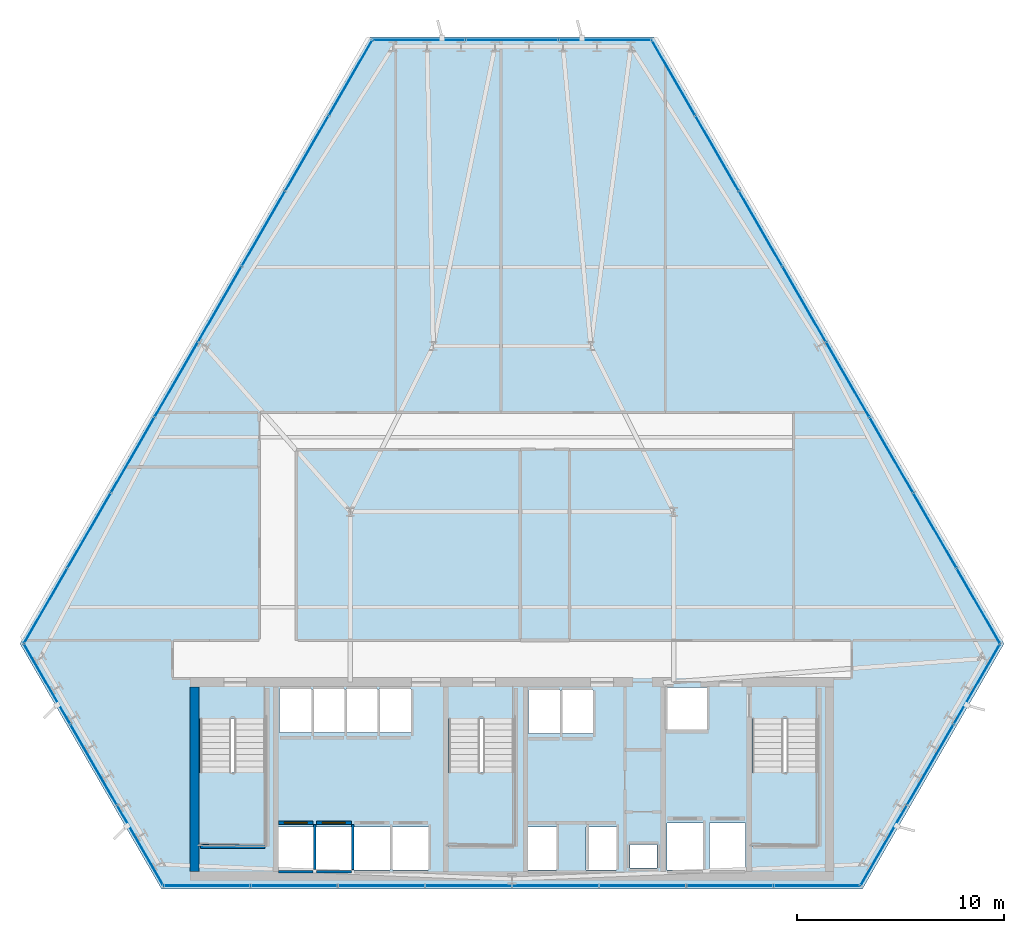
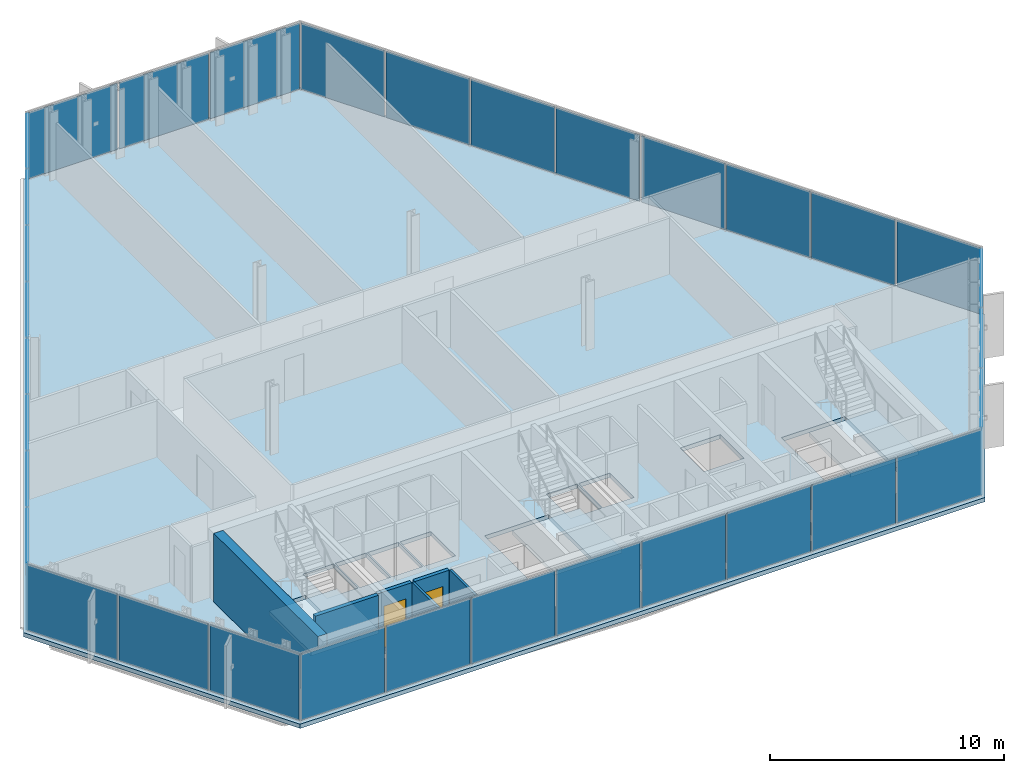
# One storey, part 24 of 31: 33 plates, 8 walls, 4 slabs, 2 doors, 2 openings, 9 elements without a shape of their own.
"""IFC4 building model written with IfcOpenShell, lengths in metres."""

from ifc_helpers import new_model, si_unit, direction, frame, frame_2d, origin, origin_2d, place, context, subcontext, project, spatial, polyline, rectangle, outline, extrude, material, layer, layer_set, type_object, element, fill, aggregate, save


model = new_model("IFC4")

# Units and contexts
model_context = context("Model", 3, precision=1e-05, world=origin(), true_north=direction((0.0, 1.0)))
body_context = subcontext(model_context, "Body", "Model", "MODEL_VIEW")
ifc_project = project(units=[si_unit("LENGTHUNIT", "METRE"), si_unit("AREAUNIT", "SQUARE_METRE"), si_unit("VOLUMEUNIT", "CUBIC_METRE"), si_unit("PLANEANGLEUNIT", "RADIAN"), si_unit("MASSUNIT", "GRAM", prefix="KILO")], contexts=[model_context])

# Site, building, storey
site_placement = place(None, origin())
site = spatial("IfcSite", under=ifc_project, at=site_placement, CompositionType="ELEMENT")
building_placement = place(site_placement, origin())
building = spatial("IfcBuilding", under=site, at=building_placement, Name="Ndaravel Arena Tower", CompositionType="ELEMENT")
storey_placement = place(building_placement, frame((0.0, 0.0, 100.60009765625)))
storey = spatial("IfcBuildingStorey", under=building, at=storey_placement, Name="L23", CompositionType="ELEMENT", Elevation=100.60009765625)

# Curtain wall, plate
ifc_material_1 = material(Name="Aluminium", Category="aluminium")
ifc_layer_1 = layer(ifc_material_1, 0.179931640625)
ifc_layer_set_1 = layer_set([ifc_layer_1], Name="Aluminium")
curtain_wall_type_1 = type_object("IfcCurtainWallType", Name="CW-SYS-01", PredefinedType="NOTDEFINED", material=ifc_layer_set_1)
curtain_wall_1_placement = place(storey_placement, origin())
curtain_wall_1 = element("IfcCurtainWall", 1, at=curtain_wall_1_placement, inside=storey, type_object=curtain_wall_type_1, Name="L23 Faceted Crystal Curtain Wall CW-L23-E02", PredefinedType="NOTDEFINED")
ifc_material_2 = material(Name="Glazing", Category="glass")
ifc_layer_2 = layer(ifc_material_2, 0.035888671875)
ifc_layer_set_2 = layer_set([ifc_layer_2], Name="Glazing")
plate_type_1 = type_object("IfcPlateType", Name="PLT-CW-OPVENT", PredefinedType="CURTAIN_PANEL", material=ifc_layer_set_2)
plate_1_placement = place(storey_placement, frame((62.1875, 10.996337890625, 0.059814453125), z_axis=(0.0, 0.0, 1.0), x_axis=(0.5, 0.866025403784, 0.0)))
plate_1 = element("IfcPlate", 2, at=plate_1_placement, type_object=plate_type_1, Name="CW-L23-E02 Operable Vent Sash Panel 02", PredefinedType="CURTAIN_PANEL", context=body_context, shape_type="SweptSolid", body=[
    extrude(rectangle(XDim=4.412841796875, YDim=0.035888671875, at=origin_2d()), origin(), (0.0, 0.0, 1.0), 3.4599609375),
])

curtain_wall_2_placement = place(storey_placement, origin())
curtain_wall_2 = element("IfcCurtainWall", 3, at=curtain_wall_2_placement, inside=storey, type_object=curtain_wall_type_1, Name="L23 Faceted Crystal Curtain Wall CW-L23-E04", PredefinedType="NOTDEFINED")
plate_2_placement = place(storey_placement, frame((42.0, 45.962646484375, 0.059814453125), z_axis=(0.0, 0.0, 1.0), x_axis=(-1.0, 0.0, 0.0)))
plate_2 = element("IfcPlate", 4, at=plate_2_placement, type_object=plate_type_1, Name="CW-L23-E04 Operable Vent Sash Panel 02", PredefinedType="CURTAIN_PANEL", context=body_context, shape_type="SweptSolid", body=[
    extrude(rectangle(XDim=4.412841796875, YDim=0.035888671875, at=origin_2d()), origin(), (0.0, 0.0, 1.0), 3.4599609375),
])

ifc_material_3 = material(Name="Aluminium", Category="aluminium")
ifc_layer_3 = layer(ifc_material_3, 0.179931640625)
ifc_layer_set_3 = layer_set([ifc_layer_3], Name="Aluminium")
curtain_wall_type_2 = type_object("IfcCurtainWallType", Name="CW-SYS-02", PredefinedType="NOTDEFINED", material=ifc_layer_set_3)
curtain_wall_3_placement = place(storey_placement, origin())
curtain_wall_3 = element("IfcCurtainWall", 5, at=curtain_wall_3_placement, inside=storey, type_object=curtain_wall_type_2, Name="L23 Faceted Crystal Curtain Wall CW-L23-E06", PredefinedType="NOTDEFINED")
plate_3_placement = place(storey_placement, frame((21.812255859375, 10.996337890625, 0.059814453125), z_axis=(0.0, 0.0, 1.0), x_axis=(0.5, -0.866025403784, 0.0)))
plate_3 = element("IfcPlate", 6, at=plate_3_placement, type_object=plate_type_1, Name="CW-L23-E06 Operable Vent Sash Panel 02", PredefinedType="CURTAIN_PANEL", context=body_context, shape_type="SweptSolid", body=[
    extrude(rectangle(XDim=4.412841796875, YDim=0.035888671875, at=origin_2d()), origin(), (0.0, 0.0, 1.0), 3.4599609375),
])

# Plate
ifc_material_4 = material(Name="Glazing", Category="glass")
ifc_layer_4 = layer(ifc_material_4, 0.031982421875)
ifc_layer_set_4 = layer_set([ifc_layer_4], Name="Glazing")
plate_type_2 = type_object("IfcPlateType", Name="PLT-GLZ-FRIT35", PredefinedType="CURTAIN_PANEL", material=ifc_layer_set_4)
plate_4_placement = place(storey_placement, frame((59.941162109375, 7.10546875, 0.059814453125), z_axis=(0.0, 0.0, 1.0), x_axis=(0.5, 0.866025403784, 0.0)))
plate_4 = element("IfcPlate", 7, at=plate_4_placement, type_object=plate_type_2, Name="CW-L23-E02 Vision Glass Panel 01", PredefinedType="CURTAIN_PANEL", context=body_context, shape_type="SweptSolid", body=[
    extrude(rectangle(XDim=4.412841796875, YDim=0.035888671875, at=origin_2d()), origin(), (0.0, 0.0, 1.0), 3.4599609375),
])

plate_5_placement = place(storey_placement, frame((64.43408203125, 14.88720703125, 0.059814453125), z_axis=(0.0, 0.0, 1.0), x_axis=(0.5, 0.866025403784, 0.0)))
plate_5 = element("IfcPlate", 8, at=plate_5_placement, type_object=plate_type_2, Name="CW-L23-E02 Vision Glass Panel 03", PredefinedType="CURTAIN_PANEL", context=body_context, shape_type="SweptSolid", body=[
    extrude(rectangle(XDim=4.412841796875, YDim=0.035888671875, at=origin_2d()), origin(), (0.0, 0.0, 1.0), 3.4599609375),
])

aggregate(curtain_wall_1, [plate_4, plate_1, plate_5])

plate_6_placement = place(storey_placement, frame((46.492919921875, 45.962646484375, 0.059814453125), z_axis=(0.0, 0.0, 1.0), x_axis=(-1.0, 0.0, 0.0)))
plate_6 = element("IfcPlate", 9, at=plate_6_placement, type_object=plate_type_2, Name="CW-L23-E04 Vision Glass Panel 01", PredefinedType="CURTAIN_PANEL", context=body_context, shape_type="SweptSolid", body=[
    extrude(rectangle(XDim=4.412841796875, YDim=0.035888671875, at=origin_2d()), origin(), (0.0, 0.0, 1.0), 3.4599609375),
])

plate_7_placement = place(storey_placement, frame((37.507080078125, 45.962646484375, 0.059814453125), z_axis=(0.0, 0.0, 1.0), x_axis=(-1.0, 0.0, 0.0)))
plate_7 = element("IfcPlate", 10, at=plate_7_placement, type_object=plate_type_2, Name="CW-L23-E04 Vision Glass Panel 03", PredefinedType="CURTAIN_PANEL", context=body_context, shape_type="SweptSolid", body=[
    extrude(rectangle(XDim=4.412841796875, YDim=0.035888671875, at=origin_2d()), origin(), (0.0, 0.0, 1.0), 3.4599609375),
])

aggregate(curtain_wall_2, [plate_6, plate_2, plate_7])

ifc_material_5 = material(Name="Glazing", Category="glass")
ifc_layer_5 = layer(ifc_material_5, 0.035888671875)
ifc_layer_set_5 = layer_set([ifc_layer_5], Name="Glazing")
plate_type_3 = type_object("IfcPlateType", Name="PLT-GLZ-FRIT55", PredefinedType="CURTAIN_PANEL", material=ifc_layer_set_5)
plate_8_placement = place(storey_placement, frame((19.56591796875, 14.88720703125, 0.059814453125), z_axis=(0.0, 0.0, 1.0), x_axis=(0.5, -0.866025403784, 0.0)))
plate_8 = element("IfcPlate", 11, at=plate_8_placement, type_object=plate_type_3, Name="CW-L23-E06 Vision Glass Panel 01", PredefinedType="CURTAIN_PANEL", context=body_context, shape_type="SweptSolid", body=[
    extrude(rectangle(XDim=4.412841796875, YDim=0.035888671875, at=origin_2d()), origin(), (0.0, 0.0, 1.0), 3.4599609375),
])

plate_9_placement = place(storey_placement, frame((24.058837890625, 7.10546875, 0.059814453125), z_axis=(0.0, 0.0, 1.0), x_axis=(0.5, -0.866025403784, 0.0)))
plate_9 = element("IfcPlate", 12, at=plate_9_placement, type_object=plate_type_3, Name="CW-L23-E06 Vision Glass Panel 03", PredefinedType="CURTAIN_PANEL", context=body_context, shape_type="SweptSolid", body=[
    extrude(rectangle(XDim=4.412841796875, YDim=0.035888671875, at=origin_2d()), origin(), (0.0, 0.0, 1.0), 3.4599609375),
])

aggregate(curtain_wall_3, [plate_8, plate_3, plate_9])

# Curtain wall, plates
ifc_material_6 = material(Name="Aluminium", Category="aluminium")
ifc_layer_6 = layer(ifc_material_6, 0.179931640625)
ifc_layer_set_6 = layer_set([ifc_layer_6], Name="Aluminium")
curtain_wall_type_3 = type_object("IfcCurtainWallType", Name="CW-SYS-03", PredefinedType="NOTDEFINED", material=ifc_layer_set_6)
curtain_wall_4_placement = place(storey_placement, origin())
curtain_wall_4 = element("IfcCurtainWall", 13, at=curtain_wall_4_placement, inside=storey, type_object=curtain_wall_type_3, Name="L23 Faceted Crystal Curtain Wall CW-L23-E01", PredefinedType="NOTDEFINED")
ifc_material_7 = material(Name="Glazing", Category="glass")
ifc_layer_7 = layer(ifc_material_7, 0.0400390625)
ifc_layer_set_7 = layer_set([ifc_layer_7], Name="Glazing")
plate_type_4 = type_object("IfcPlateType", Name="PLT-GLZ-LOWIRON", PredefinedType="CURTAIN_PANEL", material=ifc_layer_set_7)
plate_10_placement = place(storey_placement, frame((27.2841796875, 5.159912109375, 0.059814453125), z_axis=(0.0, 0.0, 1.0), x_axis=(1.0, 0.0, 0.0)))
plate_10 = element("IfcPlate", 14, at=plate_10_placement, type_object=plate_type_4, Name="CW-L23-E01 Vision Glass Panel 01", PredefinedType="CURTAIN_PANEL", context=body_context, shape_type="SweptSolid", body=[
    extrude(rectangle(XDim=4.12451171875, YDim=0.035888671875, at=origin_2d()), origin(), (0.0, 0.0, 1.0), 3.4599609375),
])
plate_11_placement = place(storey_placement, frame((31.48876953125, 5.159912109375, 0.059814453125), z_axis=(0.0, 0.0, 1.0), x_axis=(1.0, 0.0, 0.0)))
plate_11 = element("IfcPlate", 15, at=plate_11_placement, type_object=plate_type_4, Name="CW-L23-E01 Vision Glass Panel 02", PredefinedType="CURTAIN_PANEL", context=body_context, shape_type="SweptSolid", body=[
    extrude(rectangle(XDim=4.12451171875, YDim=0.035888671875, at=origin_2d()), origin(), (0.0, 0.0, 1.0), 3.4599609375),
])
plate_12_placement = place(storey_placement, frame((35.693115234375, 5.159912109375, 0.059814453125), z_axis=(0.0, 0.0, 1.0), x_axis=(1.0, 0.0, 0.0)))
plate_12 = element("IfcPlate", 16, at=plate_12_placement, type_object=plate_type_4, Name="CW-L23-E01 Vision Glass Panel 03", PredefinedType="CURTAIN_PANEL", context=body_context, shape_type="SweptSolid", body=[
    extrude(rectangle(XDim=4.12451171875, YDim=0.035888671875, at=origin_2d()), origin(), (0.0, 0.0, 1.0), 3.4599609375),
])
plate_13_placement = place(storey_placement, frame((39.897705078125, 5.159912109375, 0.059814453125), z_axis=(0.0, 0.0, 1.0), x_axis=(1.0, 0.0, 0.0)))
plate_13 = element("IfcPlate", 17, at=plate_13_placement, type_object=plate_type_4, Name="CW-L23-E01 Vision Glass Panel 04", PredefinedType="CURTAIN_PANEL", context=body_context, shape_type="SweptSolid", body=[
    extrude(rectangle(XDim=4.12451171875, YDim=0.035888671875, at=origin_2d()), origin(), (0.0, 0.0, 1.0), 3.4599609375),
])
plate_14_placement = place(storey_placement, frame((44.102294921875, 5.159912109375, 0.059814453125), z_axis=(0.0, 0.0, 1.0), x_axis=(1.0, 0.0, 0.0)))
plate_14 = element("IfcPlate", 18, at=plate_14_placement, type_object=plate_type_4, Name="CW-L23-E01 Vision Glass Panel 05", PredefinedType="CURTAIN_PANEL", context=body_context, shape_type="SweptSolid", body=[
    extrude(rectangle(XDim=4.12451171875, YDim=0.035888671875, at=origin_2d()), origin(), (0.0, 0.0, 1.0), 3.4599609375),
])
plate_15_placement = place(storey_placement, frame((48.306640625, 5.159912109375, 0.059814453125), z_axis=(0.0, 0.0, 1.0), x_axis=(1.0, 0.0, 0.0)))
plate_15 = element("IfcPlate", 19, at=plate_15_placement, type_object=plate_type_4, Name="CW-L23-E01 Vision Glass Panel 06", PredefinedType="CURTAIN_PANEL", context=body_context, shape_type="SweptSolid", body=[
    extrude(rectangle(XDim=4.12451171875, YDim=0.035888671875, at=origin_2d()), origin(), (0.0, 0.0, 1.0), 3.4599609375),
])
plate_16_placement = place(storey_placement, frame((52.51123046875, 5.159912109375, 0.059814453125), z_axis=(0.0, 0.0, 1.0), x_axis=(1.0, 0.0, 0.0)))
plate_16 = element("IfcPlate", 20, at=plate_16_placement, type_object=plate_type_4, Name="CW-L23-E01 Vision Glass Panel 07", PredefinedType="CURTAIN_PANEL", context=body_context, shape_type="SweptSolid", body=[
    extrude(rectangle(XDim=4.12451171875, YDim=0.035888671875, at=origin_2d()), origin(), (0.0, 0.0, 1.0), 3.4599609375),
])
plate_17_placement = place(storey_placement, frame((56.7158203125, 5.159912109375, 0.059814453125), z_axis=(0.0, 0.0, 1.0), x_axis=(1.0, 0.0, 0.0)))
plate_17 = element("IfcPlate", 21, at=plate_17_placement, type_object=plate_type_4, Name="CW-L23-E01 Vision Glass Panel 08", PredefinedType="CURTAIN_PANEL", context=body_context, shape_type="SweptSolid", body=[
    extrude(rectangle(XDim=4.12451171875, YDim=0.035888671875, at=origin_2d()), origin(), (0.0, 0.0, 1.0), 3.4599609375),
])
aggregate(curtain_wall_4, [plate_10, plate_11, plate_12, plate_13, plate_14, plate_15, plate_16, plate_17])

curtain_wall_5_placement = place(storey_placement, origin())
curtain_wall_5 = element("IfcCurtainWall", 22, at=curtain_wall_5_placement, inside=storey, type_object=curtain_wall_type_3, Name="L23 Faceted Crystal Curtain Wall CW-L23-E03", PredefinedType="NOTDEFINED")
plate_18_placement = place(storey_placement, frame((64.506103515625, 18.6533203125, 0.059814453125), z_axis=(0.0, 0.0, 1.0), x_axis=(-0.5, 0.866025403784, 0.0)))
plate_18 = element("IfcPlate", 23, at=plate_18_placement, type_object=plate_type_4, Name="CW-L23-E03 Vision Glass Panel 01", PredefinedType="CURTAIN_PANEL", context=body_context, shape_type="SweptSolid", body=[
    extrude(rectangle(XDim=4.12451171875, YDim=0.035888671875, at=origin_2d()), origin(), (0.0, 0.0, 1.0), 3.4599609375),
])
plate_19_placement = place(storey_placement, frame((62.40380859375, 22.294677734375, 0.059814453125), z_axis=(0.0, 0.0, 1.0), x_axis=(-0.5, 0.866025403784, 0.0)))
plate_19 = element("IfcPlate", 24, at=plate_19_placement, type_object=plate_type_4, Name="CW-L23-E03 Vision Glass Panel 02", PredefinedType="CURTAIN_PANEL", context=body_context, shape_type="SweptSolid", body=[
    extrude(rectangle(XDim=4.12451171875, YDim=0.035888671875, at=origin_2d()), origin(), (0.0, 0.0, 1.0), 3.4599609375),
])
plate_20_placement = place(storey_placement, frame((60.3017578125, 25.935791015625, 0.059814453125), z_axis=(0.0, 0.0, 1.0), x_axis=(-0.5, 0.866025403784, 0.0)))
plate_20 = element("IfcPlate", 25, at=plate_20_placement, type_object=plate_type_4, Name="CW-L23-E03 Vision Glass Panel 03", PredefinedType="CURTAIN_PANEL", context=body_context, shape_type="SweptSolid", body=[
    extrude(rectangle(XDim=4.12451171875, YDim=0.035888671875, at=origin_2d()), origin(), (0.0, 0.0, 1.0), 3.4599609375),
])
plate_21_placement = place(storey_placement, frame((58.199462890625, 29.5771484375, 0.059814453125), z_axis=(0.0, 0.0, 1.0), x_axis=(-0.5, 0.866025403784, 0.0)))
plate_21 = element("IfcPlate", 26, at=plate_21_placement, type_object=plate_type_4, Name="CW-L23-E03 Vision Glass Panel 04", PredefinedType="CURTAIN_PANEL", context=body_context, shape_type="SweptSolid", body=[
    extrude(rectangle(XDim=4.12451171875, YDim=0.035888671875, at=origin_2d()), origin(), (0.0, 0.0, 1.0), 3.4599609375),
])
plate_22_placement = place(storey_placement, frame((56.09716796875, 33.21826171875, 0.059814453125), z_axis=(0.0, 0.0, 1.0), x_axis=(-0.5, 0.866025403784, 0.0)))
plate_22 = element("IfcPlate", 27, at=plate_22_placement, type_object=plate_type_4, Name="CW-L23-E03 Vision Glass Panel 05", PredefinedType="CURTAIN_PANEL", context=body_context, shape_type="SweptSolid", body=[
    extrude(rectangle(XDim=4.12451171875, YDim=0.035888671875, at=origin_2d()), origin(), (0.0, 0.0, 1.0), 3.4599609375),
])
plate_23_placement = place(storey_placement, frame((53.994873046875, 36.859619140625, 0.059814453125), z_axis=(0.0, 0.0, 1.0), x_axis=(-0.5, 0.866025403784, 0.0)))
plate_23 = element("IfcPlate", 28, at=plate_23_placement, type_object=plate_type_4, Name="CW-L23-E03 Vision Glass Panel 06", PredefinedType="CURTAIN_PANEL", context=body_context, shape_type="SweptSolid", body=[
    extrude(rectangle(XDim=4.12451171875, YDim=0.035888671875, at=origin_2d()), origin(), (0.0, 0.0, 1.0), 3.4599609375),
])
plate_24_placement = place(storey_placement, frame((51.892578125, 40.500732421875, 0.059814453125), z_axis=(0.0, 0.0, 1.0), x_axis=(-0.5, 0.866025403784, 0.0)))
plate_24 = element("IfcPlate", 29, at=plate_24_placement, type_object=plate_type_4, Name="CW-L23-E03 Vision Glass Panel 07", PredefinedType="CURTAIN_PANEL", context=body_context, shape_type="SweptSolid", body=[
    extrude(rectangle(XDim=4.12451171875, YDim=0.035888671875, at=origin_2d()), origin(), (0.0, 0.0, 1.0), 3.4599609375),
])
plate_25_placement = place(storey_placement, frame((49.790283203125, 44.14208984375, 0.059814453125), z_axis=(0.0, 0.0, 1.0), x_axis=(-0.5, 0.866025403784, 0.0)))
plate_25 = element("IfcPlate", 30, at=plate_25_placement, type_object=plate_type_4, Name="CW-L23-E03 Vision Glass Panel 08", PredefinedType="CURTAIN_PANEL", context=body_context, shape_type="SweptSolid", body=[
    extrude(rectangle(XDim=4.12451171875, YDim=0.035888671875, at=origin_2d()), origin(), (0.0, 0.0, 1.0), 3.4599609375),
])
aggregate(curtain_wall_5, [plate_18, plate_19, plate_20, plate_21, plate_22, plate_23, plate_24, plate_25])

curtain_wall_6_placement = place(storey_placement, origin())
curtain_wall_6 = element("IfcCurtainWall", 31, at=curtain_wall_6_placement, inside=storey, type_object=curtain_wall_type_3, Name="L23 Faceted Crystal Curtain Wall CW-L23-E05", PredefinedType="NOTDEFINED")
plate_26_placement = place(storey_placement, frame((34.209716796875, 44.14208984375, 0.059814453125), z_axis=(0.0, 0.0, 1.0), x_axis=(-0.5, -0.866025403784, 0.0)))
plate_26 = element("IfcPlate", 32, at=plate_26_placement, type_object=plate_type_4, Name="CW-L23-E05 Vision Glass Panel 01", PredefinedType="CURTAIN_PANEL", context=body_context, shape_type="SweptSolid", body=[
    extrude(rectangle(XDim=4.12451171875, YDim=0.035888671875, at=origin_2d()), origin(), (0.0, 0.0, 1.0), 3.4599609375),
])
plate_27_placement = place(storey_placement, frame((32.107421875, 40.500732421875, 0.059814453125), z_axis=(0.0, 0.0, 1.0), x_axis=(-0.5, -0.866025403784, 0.0)))
plate_27 = element("IfcPlate", 33, at=plate_27_placement, type_object=plate_type_4, Name="CW-L23-E05 Vision Glass Panel 02", PredefinedType="CURTAIN_PANEL", context=body_context, shape_type="SweptSolid", body=[
    extrude(rectangle(XDim=4.12451171875, YDim=0.035888671875, at=origin_2d()), origin(), (0.0, 0.0, 1.0), 3.4599609375),
])
plate_28_placement = place(storey_placement, frame((30.005126953125, 36.859619140625, 0.059814453125), z_axis=(0.0, 0.0, 1.0), x_axis=(-0.5, -0.866025403784, 0.0)))
plate_28 = element("IfcPlate", 34, at=plate_28_placement, type_object=plate_type_4, Name="CW-L23-E05 Vision Glass Panel 03", PredefinedType="CURTAIN_PANEL", context=body_context, shape_type="SweptSolid", body=[
    extrude(rectangle(XDim=4.12451171875, YDim=0.035888671875, at=origin_2d()), origin(), (0.0, 0.0, 1.0), 3.4599609375),
])
plate_29_placement = place(storey_placement, frame((27.90283203125, 33.21826171875, 0.059814453125), z_axis=(0.0, 0.0, 1.0), x_axis=(-0.5, -0.866025403784, 0.0)))
plate_29 = element("IfcPlate", 35, at=plate_29_placement, type_object=plate_type_4, Name="CW-L23-E05 Vision Glass Panel 04", PredefinedType="CURTAIN_PANEL", context=body_context, shape_type="SweptSolid", body=[
    extrude(rectangle(XDim=4.12451171875, YDim=0.035888671875, at=origin_2d()), origin(), (0.0, 0.0, 1.0), 3.4599609375),
])
plate_30_placement = place(storey_placement, frame((25.800537109375, 29.5771484375, 0.059814453125), z_axis=(0.0, 0.0, 1.0), x_axis=(-0.5, -0.866025403784, 0.0)))
plate_30 = element("IfcPlate", 36, at=plate_30_placement, type_object=plate_type_4, Name="CW-L23-E05 Vision Glass Panel 05", PredefinedType="CURTAIN_PANEL", context=body_context, shape_type="SweptSolid", body=[
    extrude(rectangle(XDim=4.12451171875, YDim=0.035888671875, at=origin_2d()), origin(), (0.0, 0.0, 1.0), 3.4599609375),
])
plate_31_placement = place(storey_placement, frame((23.6982421875, 25.935791015625, 0.059814453125), z_axis=(0.0, 0.0, 1.0), x_axis=(-0.5, -0.866025403784, 0.0)))
plate_31 = element("IfcPlate", 37, at=plate_31_placement, type_object=plate_type_4, Name="CW-L23-E05 Vision Glass Panel 06", PredefinedType="CURTAIN_PANEL", context=body_context, shape_type="SweptSolid", body=[
    extrude(rectangle(XDim=4.12451171875, YDim=0.035888671875, at=origin_2d()), origin(), (0.0, 0.0, 1.0), 3.4599609375),
])
plate_32_placement = place(storey_placement, frame((21.59619140625, 22.294677734375, 0.059814453125), z_axis=(0.0, 0.0, 1.0), x_axis=(-0.5, -0.866025403784, 0.0)))
plate_32 = element("IfcPlate", 38, at=plate_32_placement, type_object=plate_type_4, Name="CW-L23-E05 Vision Glass Panel 07", PredefinedType="CURTAIN_PANEL", context=body_context, shape_type="SweptSolid", body=[
    extrude(rectangle(XDim=4.12451171875, YDim=0.035888671875, at=origin_2d()), origin(), (0.0, 0.0, 1.0), 3.4599609375),
])
plate_33_placement = place(storey_placement, frame((19.493896484375, 18.6533203125, 0.059814453125), z_axis=(0.0, 0.0, 1.0), x_axis=(-0.5, -0.866025403784, 0.0)))
plate_33 = element("IfcPlate", 39, at=plate_33_placement, type_object=plate_type_4, Name="CW-L23-E05 Vision Glass Panel 08", PredefinedType="CURTAIN_PANEL", context=body_context, shape_type="SweptSolid", body=[
    extrude(rectangle(XDim=4.12451171875, YDim=0.035888671875, at=origin_2d()), origin(), (0.0, 0.0, 1.0), 3.4599609375),
])
aggregate(curtain_wall_6, [plate_26, plate_27, plate_28, plate_29, plate_30, plate_31, plate_32, plate_33])

# Stair, slab
ifc_material_8 = material(Name="Concrete C40/50", Category="concrete")
stair_type = type_object("IfcStairType", Name="STAIR-CORE-HT", PredefinedType="HALF_TURN_STAIR", material=ifc_material_8)
stair_1_placement = place(storey_placement, origin())
stair_1 = element("IfcStair", 40, at=stair_1_placement, inside=storey, type_object=stair_type, Name="L23 ST-1", PredefinedType="HALF_TURN_STAIR")
ifc_material_9 = material(Name="Concrete C40/50", Category="concrete")
ifc_layer_8 = layer(ifc_material_9, 0.199951171875)
ifc_layer_set_8 = layer_set([ifc_layer_8], Name="Concrete C40/50")
slab_type_1 = type_object("IfcSlabType", Name="SLAB-STAIR-LANDING", PredefinedType="LANDING", material=ifc_layer_set_8)
slab_1_placement = place(storey_placement, frame((0.0, 0.0, 1.699951171875)))
slab_1 = element("IfcSlab", 41, at=slab_1_placement, type_object=slab_type_1, Name="ST-1 landing 1", PredefinedType="LANDING", context=body_context, shape_type="SweptSolid", body=[
    extrude(outline(polyline([(26.81005859375, 10.6298828125), (26.81005859375, 7.070068359375), (30.169921875, 7.070068359375), (30.169921875, 10.6298828125), (26.81005859375, 10.6298828125)])), origin(), (0.0, 0.0, 1.0), 0.199951171875),
])
aggregate(stair_1, [slab_1])

stair_2_placement = place(storey_placement, origin())
stair_2 = element("IfcStair", 42, at=stair_2_placement, inside=storey, type_object=stair_type, Name="L23 ST-2", PredefinedType="HALF_TURN_STAIR")
slab_2_placement = place(storey_placement, frame((0.0, 0.0, 1.699951171875)))
slab_2 = element("IfcSlab", 43, at=slab_2_placement, type_object=slab_type_1, Name="ST-2 landing 1", PredefinedType="LANDING", context=body_context, shape_type="SweptSolid", body=[
    extrude(outline(polyline([(38.81005859375, 10.6298828125), (38.81005859375, 7.070068359375), (42.169921875, 7.070068359375), (42.169921875, 10.6298828125), (38.81005859375, 10.6298828125)])), origin(), (0.0, 0.0, 1.0), 0.199951171875),
])
aggregate(stair_2, [slab_2])

stair_3_placement = place(storey_placement, origin())
stair_3 = element("IfcStair", 44, at=stair_3_placement, inside=storey, type_object=stair_type, Name="L23 ST-3", PredefinedType="HALF_TURN_STAIR")
slab_3_placement = place(storey_placement, frame((0.0, 0.0, 1.699951171875)))
slab_3 = element("IfcSlab", 45, at=slab_3_placement, type_object=slab_type_1, Name="ST-3 landing 1", PredefinedType="LANDING", context=body_context, shape_type="SweptSolid", body=[
    extrude(outline(polyline([(53.4599609375, 10.6298828125), (53.4599609375, 7.070068359375), (56.820068359375, 7.070068359375), (56.820068359375, 10.6298828125), (53.4599609375, 10.6298828125)])), origin(), (0.0, 0.0, 1.0), 0.199951171875),
])
aggregate(stair_3, [slab_3])

# Slab
ifc_material_10 = material(Name="Concrete C40/50", Category="concrete")
ifc_layer_9 = layer(ifc_material_10, 0.219970703125)
ifc_layer_set_9 = layer_set([ifc_layer_9], Name="Concrete C40/50")
slab_type_2 = type_object("IfcSlabType", Name="SLAB-TWR-220", PredefinedType="FLOOR", material=ifc_layer_set_9)
slab_4_placement = place(storey_placement, frame((0.0, 0.0, -0.22021484375)))
element("IfcSlab", 46, at=slab_4_placement, inside=storey, type_object=slab_type_2, Name="L23 Structural Floor Slab", PredefinedType="FLOOR", context=body_context, shape_type="SweptSolid", body=[
    extrude(outline(polyline([(18.2578125, 16.832763671875), (25.089599609375, 5.0), (58.910400390625, 5.0), (65.7421875, 16.832763671875), (48.831787109375, 46.12255859375), (35.168212890625, 46.12255859375), (18.2578125, 16.832763671875)]), holes=[polyline([(26.949951171875, 13.215087890625), (26.949951171875, 7.14990234375), (30.090087890625, 7.14990234375), (30.090087890625, 13.215087890625), (26.949951171875, 13.215087890625)]), polyline([(38.949951171875, 13.215087890625), (38.949951171875, 7.14990234375), (42.090087890625, 7.14990234375), (42.090087890625, 13.215087890625), (38.949951171875, 13.215087890625)]), polyline([(53.60009765625, 13.215087890625), (53.60009765625, 7.14990234375), (56.739990234375, 7.14990234375), (56.739990234375, 13.215087890625), (53.60009765625, 13.215087890625)]), polyline([(30.68505859375, 5.909912109375), (32.4150390625, 5.909912109375), (32.4150390625, 7.989990234375), (30.68505859375, 7.989990234375), (30.68505859375, 5.909912109375)]), polyline([(32.534912109375, 5.909912109375), (34.264892578125, 5.909912109375), (34.264892578125, 7.989990234375), (32.534912109375, 7.989990234375), (32.534912109375, 5.909912109375)]), polyline([(34.385009765625, 5.909912109375), (36.114990234375, 5.909912109375), (36.114990234375, 7.989990234375), (34.385009765625, 7.989990234375), (34.385009765625, 5.909912109375)]), polyline([(36.235107421875, 5.909912109375), (37.965087890625, 5.909912109375), (37.965087890625, 7.989990234375), (36.235107421875, 7.989990234375), (36.235107421875, 5.909912109375)]), polyline([(30.784912109375, 12.56005859375), (32.31494140625, 12.56005859375), (32.31494140625, 14.639892578125), (30.784912109375, 14.639892578125), (30.784912109375, 12.56005859375)]), polyline([(32.385009765625, 12.56005859375), (33.9150390625, 12.56005859375), (33.9150390625, 14.639892578125), (32.385009765625, 14.639892578125), (32.385009765625, 12.56005859375)]), polyline([(33.985107421875, 12.56005859375), (35.514892578125, 12.56005859375), (35.514892578125, 14.639892578125), (33.985107421875, 14.639892578125), (33.985107421875, 12.56005859375)]), polyline([(35.5849609375, 12.56005859375), (37.114990234375, 12.56005859375), (37.114990234375, 14.639892578125), (35.5849609375, 14.639892578125), (35.5849609375, 12.56005859375)]), polyline([(42.659912109375, 5.909912109375), (44.139892578125, 5.909912109375), (44.139892578125, 7.989990234375), (42.659912109375, 7.989990234375), (42.659912109375, 5.909912109375)]), polyline([(45.56005859375, 5.909912109375), (47.0400390625, 5.909912109375), (47.0400390625, 7.989990234375), (45.56005859375, 7.989990234375), (45.56005859375, 5.909912109375)]), polyline([(42.784912109375, 12.510009765625), (44.31494140625, 12.510009765625), (44.31494140625, 14.590087890625), (42.784912109375, 14.590087890625), (42.784912109375, 12.510009765625)]), polyline([(44.385009765625, 12.510009765625), (45.9150390625, 12.510009765625), (45.9150390625, 14.590087890625), (44.385009765625, 14.590087890625), (44.385009765625, 12.510009765625)]), polyline([(49.485107421875, 5.909912109375), (51.215087890625, 5.909912109375), (51.215087890625, 8.18994140625), (49.485107421875, 8.18994140625), (49.485107421875, 5.909912109375)]), polyline([(51.534912109375, 5.909912109375), (53.264892578125, 5.909912109375), (53.264892578125, 8.18994140625), (51.534912109375, 8.18994140625), (51.534912109375, 5.909912109375)]), polyline([(49.4599609375, 12.68505859375), (51.43994140625, 12.68505859375), (51.43994140625, 14.715087890625), (49.4599609375, 14.715087890625), (49.4599609375, 12.68505859375)]), polyline([(47.699951171875, 6.0), (49.0, 6.0), (49.0, 7.139892578125), (47.699951171875, 7.139892578125), (47.699951171875, 6.0)])]), origin(), (0.0, 0.0, 1.0), 0.22021484375),
])

# Walls
ifc_material_11 = material(Name="Concrete C60/75", Category="concrete")
ifc_layer_10 = layer(ifc_material_11, 0.449951171875)
ifc_layer_set_10 = layer_set([ifc_layer_10], Name="Concrete C60/75")
wall_type_1 = type_object("IfcWallType", Name="WALL-CORE-450", PredefinedType="SOLIDWALL", material=ifc_layer_set_10)
wall_1_placement = place(storey_placement, frame((26.675048828125, 5.85009765625, 0.0), z_axis=(0.0, 0.0, 1.0), x_axis=(0.0, 1.0, 0.0)))
element("IfcWall", 47, at=wall_1_placement, inside=storey, type_object=wall_type_1, Name="L23 Core West Shear Wall", PredefinedType="SOLIDWALL", context=body_context, shape_type="SweptSolid", body=[
    extrude(rectangle(XDim=8.89990234375, YDim=0.449951171875, at=frame_2d((4.449951171875, 0.0))), origin(), (0.0, 0.0, 1.0), 3.579833984375),
])
ifc_material_12 = material(Name="Concrete C40/50", Category="concrete")
ifc_layer_11 = layer(ifc_material_12, 0.1201171875)
ifc_layer_set_11 = layer_set([ifc_layer_11], Name="Concrete C40/50")
wall_type_2 = type_object("IfcWallType", Name="WALL-SHAFT-120", PredefinedType="SOLIDWALL", material=ifc_layer_set_11)
wall_2_placement = place(storey_placement, frame((30.72998046875, 5.840087890625, 0.0), z_axis=(0.0, 0.0, 1.0), x_axis=(1.0, 0.0, 0.0)))
element("IfcWall", 48, at=wall_2_placement, inside=storey, type_object=wall_type_2, Name="L23 PL-L1 Shaft Rear Wall", PredefinedType="SOLIDWALL", context=body_context, shape_type="SweptSolid", body=[
    extrude(rectangle(XDim=1.6650390625, YDim=0.1201171875, at=frame_2d((0.83251953125, 0.0))), origin(), (0.0, 0.0, 1.0), 2.949951171875),
])
wall_3_placement = place(storey_placement, frame((32.47509765625, 5.929931640625, 0.0), z_axis=(0.0, 0.0, 1.0), x_axis=(0.0, 1.0, 0.0)))
element("IfcWall", 49, at=wall_3_placement, inside=storey, type_object=wall_type_2, Name="L23 PL-L1 Shaft Side R Wall", PredefinedType="SOLIDWALL", context=body_context, shape_type="SweptSolid", body=[
    extrude(rectangle(XDim=2.18017578125, YDim=0.1201171875, at=frame_2d((1.090087890625, 0.0))), origin(), (0.0, 0.0, 1.0), 2.949951171875),
])
wall_4_placement = place(storey_placement, frame((32.554931640625, 5.840087890625, 0.0), z_axis=(0.0, 0.0, 1.0), x_axis=(1.0, 0.0, 0.0)))
element("IfcWall", 50, at=wall_4_placement, inside=storey, type_object=wall_type_2, Name="L23 PL-L2 Shaft Rear Wall", PredefinedType="SOLIDWALL", context=body_context, shape_type="SweptSolid", body=[
    extrude(rectangle(XDim=1.690185546875, YDim=0.1201171875, at=frame_2d((0.84521484375, 0.0))), origin(), (0.0, 0.0, 1.0), 2.949951171875),
])
wall_5_placement = place(storey_placement, frame((34.324951171875, 5.929931640625, 0.0), z_axis=(0.0, 0.0, 1.0), x_axis=(0.0, 1.0, 0.0)))
element("IfcWall", 51, at=wall_5_placement, inside=storey, type_object=wall_type_2, Name="L23 PL-L2 Shaft Side R Wall", PredefinedType="SOLIDWALL", context=body_context, shape_type="SweptSolid", body=[
    extrude(rectangle(XDim=2.18017578125, YDim=0.1201171875, at=frame_2d((1.090087890625, 0.0))), origin(), (0.0, 0.0, 1.0), 2.949951171875),
])
ifc_material_13 = material(Name="Concrete C40/50", Category="concrete")
ifc_layer_12 = layer(ifc_material_13, 0.199951171875)
ifc_layer_set_12 = layer_set([ifc_layer_12], Name="Concrete C40/50")
wall_type_3 = type_object("IfcWallType", Name="WALL-SHAFT-200", PredefinedType="SOLIDWALL", material=ifc_layer_set_12)
wall_6_placement = place(storey_placement, frame((26.969970703125, 7.050048828125, 0.0), z_axis=(0.0, 0.0, 1.0), x_axis=(1.0, 0.0, 0.0)))
element("IfcWall", 52, at=wall_6_placement, inside=storey, type_object=wall_type_3, Name="L23 ST-1 Structural Shaft Wall Far", PredefinedType="SOLIDWALL", context=body_context, shape_type="SweptSolid", body=[
    extrude(rectangle(XDim=3.114990234375, YDim=0.199951171875, at=frame_2d((1.5576171875, 0.0))), origin(), (0.0, 0.0, 1.0), 3.7998046875),
])

# Wall, opening, door
wall_7_placement = place(storey_placement, frame((30.72998046875, 8.199951171875, 0.0), z_axis=(0.0, 0.0, 1.0), x_axis=(1.0, 0.0, 0.0)))
wall_7 = element("IfcWall", 53, at=wall_7_placement, inside=storey, type_object=wall_type_3, Name="L23 PL-L1 Shaft Landing Wall", PredefinedType="SOLIDWALL", context=body_context, shape_type="SweptSolid", body=[
    extrude(rectangle(XDim=1.6650390625, YDim=0.179931640625, at=frame_2d((0.83251953125, 0.0))), origin(), (0.0, 0.0, 1.0), 2.949951171875),
])
opening_1_placement = place(wall_7_placement, frame((0.282470703125, 0.0, 0.0)))
opening_1 = element("IfcOpeningElement", 54, at=opening_1_placement, cuts=wall_7, Name="Opening LD-01", PredefinedType="OPENING", context=body_context, shape_type="SweptSolid", body=[
    extrude(rectangle(XDim=1.10009765625, YDim=2.199951171875, at=frame_2d((0.550048828125, 1.10009765625))), frame((0.0, 0.08984375, 0.0), z_axis=(0.0, -1.0, 0.0), x_axis=(1.0, 0.0, 0.0)), (0.0, 0.0, 1.0), 0.179931640625),
])
ifc_material_14 = material(Name="Steel S355", Category="steel")
door_type = type_object("IfcDoorType", Name="DT-06-LIFT-1100", OperationType="SLIDING_TO_LEFT", PredefinedType="DOOR", material=ifc_material_14)
door_1_placement = place(opening_1_placement, origin())
door_1 = element("IfcDoor", 55, at=door_1_placement, inside=storey, type_object=door_type, Name="L23 Lift PL-L1 Sliding Landing Door", OperationType="SLIDING_TO_LEFT", OverallHeight=2.199951171875, OverallWidth=1.10009765625, PredefinedType="DOOR", context=body_context, shape_type="SweptSolid", body=[
    extrude(rectangle(XDim=1.10009765625, YDim=2.199951171875, at=frame_2d((0.550048828125, 1.10009765625))), frame((0.0, 0.02490234375, 0.0), z_axis=(0.0, -1.0, 0.0), x_axis=(1.0, 0.0, 0.0)), (0.0, 0.0, 1.0), 0.050048828125),
])
fill(opening_1, door_1)

wall_8_placement = place(storey_placement, frame((32.554931640625, 8.199951171875, 0.0), z_axis=(0.0, 0.0, 1.0), x_axis=(1.0, 0.0, 0.0)))
wall_8 = element("IfcWall", 56, at=wall_8_placement, inside=storey, type_object=wall_type_3, Name="L23 PL-L2 Shaft Landing Wall", PredefinedType="SOLIDWALL", context=body_context, shape_type="SweptSolid", body=[
    extrude(rectangle(XDim=1.690185546875, YDim=0.179931640625, at=frame_2d((0.84521484375, 0.0))), origin(), (0.0, 0.0, 1.0), 2.949951171875),
])
opening_2_placement = place(wall_8_placement, frame((0.294921875, 0.0, 0.0)))
opening_2 = element("IfcOpeningElement", 57, at=opening_2_placement, cuts=wall_8, Name="Opening LD-01", PredefinedType="OPENING", context=body_context, shape_type="SweptSolid", body=[
    extrude(rectangle(XDim=1.10009765625, YDim=2.199951171875, at=frame_2d((0.550048828125, 1.10009765625))), frame((0.0, 0.08984375, 0.0), z_axis=(0.0, -1.0, 0.0), x_axis=(1.0, 0.0, 0.0)), (0.0, 0.0, 1.0), 0.179931640625),
])
door_2_placement = place(opening_2_placement, origin())
door_2 = element("IfcDoor", 58, at=door_2_placement, inside=storey, type_object=door_type, Name="L23 Lift PL-L2 Sliding Landing Door", OperationType="SLIDING_TO_LEFT", OverallHeight=2.199951171875, OverallWidth=1.10009765625, PredefinedType="DOOR", context=body_context, shape_type="SweptSolid", body=[
    extrude(rectangle(XDim=1.10009765625, YDim=2.199951171875, at=frame_2d((0.550048828125, 1.10009765625))), frame((0.0, 0.02490234375, 0.0), z_axis=(0.0, -1.0, 0.0), x_axis=(1.0, 0.0, 0.0)), (0.0, 0.0, 1.0), 0.050048828125),
])
fill(opening_2, door_2)

save(model, "model.ifc")
